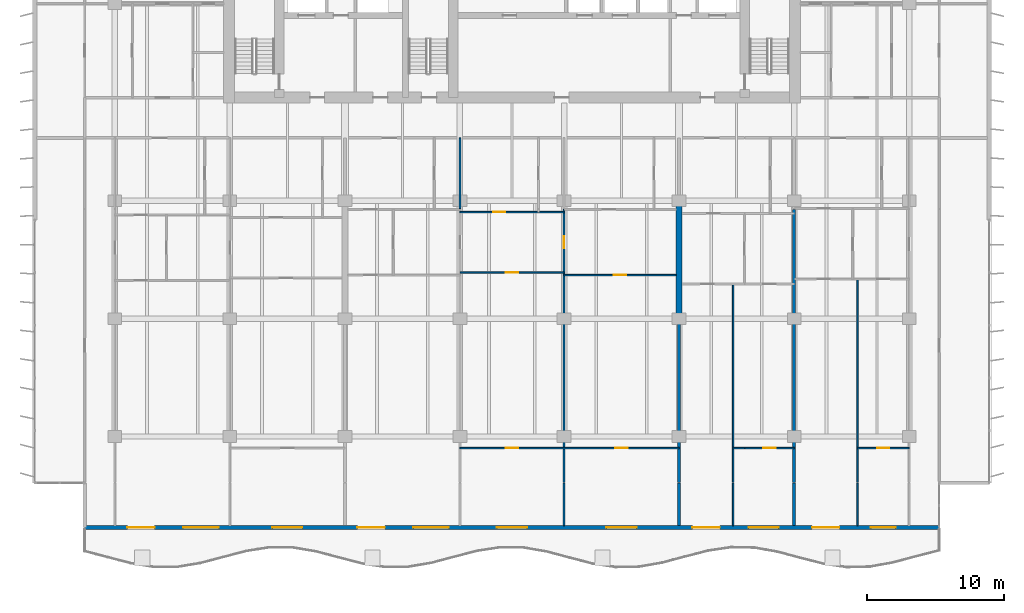
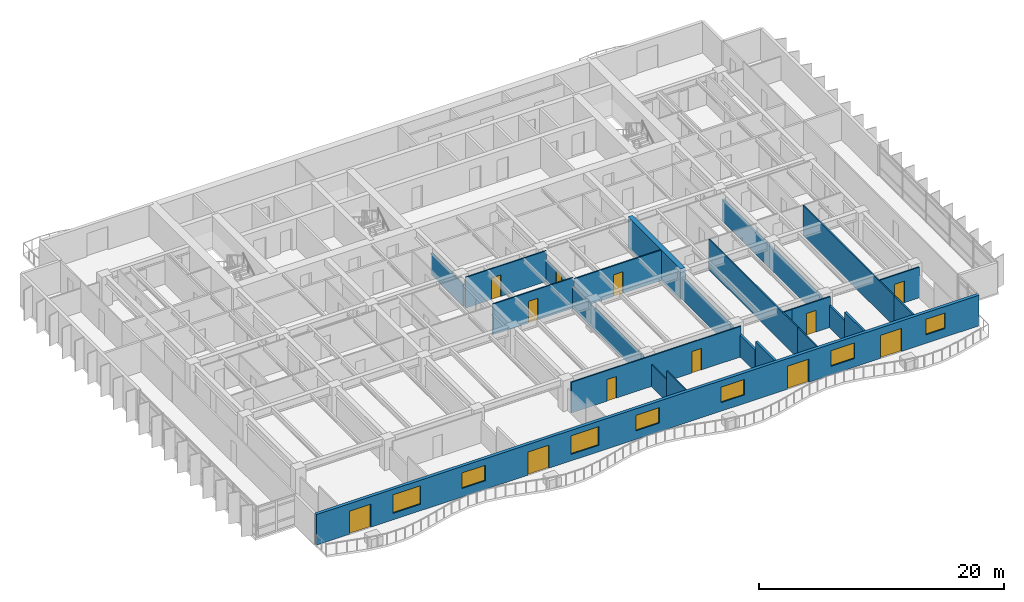
# One storey, part 7 of 15: 20 walls, 12 doors, 7 windows, 19 openings.
"""IFC4 building model written with IfcOpenShell, lengths in metres."""

from ifc_helpers import new_model, si_unit, direction, frame, frame_2d, origin, place, context, subcontext, project, spatial, rectangle, extrude, material, layer, layer_set, type_object, element, fill, save


model = new_model("IFC4")

# Units and contexts
model_context = context("Model", 3, precision=1e-05, world=origin(), true_north=direction((0.0, 1.0)))
body_context = subcontext(model_context, "Body", "Model", "MODEL_VIEW")
ifc_project = project(units=[si_unit("LENGTHUNIT", "METRE"), si_unit("AREAUNIT", "SQUARE_METRE"), si_unit("VOLUMEUNIT", "CUBIC_METRE"), si_unit("PLANEANGLEUNIT", "RADIAN"), si_unit("MASSUNIT", "GRAM", prefix="KILO")], contexts=[model_context])

# Site, building, storey
site_placement = place(None, origin())
site = spatial("IfcSite", under=ifc_project, at=site_placement, CompositionType="ELEMENT")
building_placement = place(site_placement, origin())
building = spatial("IfcBuilding", under=site, at=building_placement, Name="Caelmar Bay Residences", CompositionType="ELEMENT")
storey_placement = place(building_placement, frame((0.0, 0.0, 138.89990234375)))
storey = spatial("IfcBuildingStorey", under=building, at=storey_placement, Name="L38", CompositionType="ELEMENT", Elevation=138.89990234375)

# Wall
ifc_material_1 = material(Name="Concrete f'c 55 MPa (8,000 psi)", Category="concrete")
ifc_layer_1 = layer(ifc_material_1, 0.449951171875)
ifc_layer_set_1 = layer_set([ifc_layer_1], Name="Concrete f'c 55 MPa (8,000 psi)")
wall_type_1 = type_object("IfcWallType", Name="SW-XSLB-450", PredefinedType="SHEAR", material=ifc_layer_set_1)
wall_1_placement = place(storey_placement, frame((51.10009765625, 20.800048828125, 0.0), z_axis=(0.0, 0.0, 1.0), x_axis=(0.0, 1.0, 0.0)))
element("IfcWall", 1, at=wall_1_placement, inside=storey, type_object=wall_type_1, Name="L38 Transverse Cross-Slab Shear Wall E8", PredefinedType="SHEAR", context=body_context, shape_type="SweptSolid", body=[
    extrude(rectangle(XDim=8.599853515625, YDim=0.449951171875, at=frame_2d((4.2998046875, 0.0))), origin(), (0.0, 0.0, 1.0), 3.050048828125),
])

# Wall, openings, doors, windows
ifc_material_2 = material(Name="Precast concrete f'c 40 MPa (6,000 psi)", Category="concrete")
ifc_layer_2 = layer(ifc_material_2, 0.300048828125)
ifc_layer_set_2 = layer_set([ifc_layer_2], Name="Precast concrete f'c 40 MPa (6,000 psi)")
wall_type_2 = type_object("IfcWallType", Name="W-EXT-300", PredefinedType="STANDARD", material=ifc_layer_set_2)
wall_2_placement = place(storey_placement, frame((70.10009765625, 5.550048828125, 0.0), z_axis=(0.0, 0.0, 1.0), x_axis=(-1.0, 0.0, 0.0)))
wall_2 = element("IfcWall", 2, at=wall_2_placement, inside=storey, type_object=wall_type_2, Name="L38 South Bayfront Exterior Wall", PredefinedType="STANDARD", context=body_context, shape_type="SweptSolid", body=[
    extrude(rectangle(XDim=62.400146484375, YDim=0.300048828125, at=frame_2d((31.2001953125, 0.0))), origin(), (0.0, 0.0, 1.0), 3.050048828125),
])
opening_1_placement = place(wall_2_placement, frame((57.2900390625, 0.0, 0.0)))
opening_1 = element("IfcOpeningElement", 3, at=opening_1_placement, cuts=wall_2, Name="Opening L38-BD01", PredefinedType="OPENING", context=body_context, shape_type="SweptSolid", body=[
    extrude(rectangle(XDim=2.0, YDim=2.300048828125, at=frame_2d((1.0, 1.14990234375))), frame((0.0, 0.159912109375, 0.0), z_axis=(0.0, -1.0, 0.0), x_axis=(1.0, 0.0, 0.0)), (0.0, 0.0, 1.0), 0.320068359375),
])
opening_2_placement = place(wall_2_placement, frame((52.610107421875, 0.0, 0.64990234375)))
opening_2 = element("IfcOpeningElement", 4, at=opening_2_placement, cuts=wall_2, Name="Opening WN3", PredefinedType="OPENING", context=body_context, shape_type="SweptSolid", body=[
    extrude(rectangle(XDim=2.60009765625, YDim=1.85009765625, at=frame_2d((1.300048828125, 0.925048828125))), frame((0.0, 0.159912109375, 0.0), z_axis=(0.0, -1.0, 0.0), x_axis=(1.0, 0.0, 0.0)), (0.0, 0.0, 1.0), 0.320068359375),
])
opening_3_placement = place(wall_2_placement, frame((46.5, 0.0, 0.85009765625)))
opening_3 = element("IfcOpeningElement", 5, at=opening_3_placement, cuts=wall_2, Name="Opening WN2", PredefinedType="OPENING", context=body_context, shape_type="SweptSolid", body=[
    extrude(rectangle(XDim=2.199951171875, YDim=1.550048828125, at=frame_2d((1.10009765625, 0.77490234375))), frame((0.0, 0.159912109375, 0.0), z_axis=(0.0, -1.0, 0.0), x_axis=(1.0, 0.0, 0.0)), (0.0, 0.0, 1.0), 0.320068359375),
])
opening_4_placement = place(wall_2_placement, frame((40.489990234375, 0.0, 0.0)))
opening_4 = element("IfcOpeningElement", 6, at=opening_4_placement, cuts=wall_2, Name="Opening L38-BD02", PredefinedType="OPENING", context=body_context, shape_type="SweptSolid", body=[
    extrude(rectangle(XDim=2.0, YDim=2.300048828125, at=frame_2d((1.0, 1.14990234375))), frame((0.0, 0.159912109375, 0.0), z_axis=(0.0, -1.0, 0.0), x_axis=(1.0, 0.0, 0.0)), (0.0, 0.0, 1.0), 0.320068359375),
])
opening_5_placement = place(wall_2_placement, frame((35.81005859375, 0.0, 0.64990234375)))
opening_5 = element("IfcOpeningElement", 7, at=opening_5_placement, cuts=wall_2, Name="Opening WN3", PredefinedType="OPENING", context=body_context, shape_type="SweptSolid", body=[
    extrude(rectangle(XDim=2.60009765625, YDim=1.85009765625, at=frame_2d((1.300048828125, 0.925048828125))), frame((0.0, 0.159912109375, 0.0), z_axis=(0.0, -1.0, 0.0), x_axis=(1.0, 0.0, 0.0)), (0.0, 0.0, 1.0), 0.320068359375),
])
opening_6_placement = place(wall_2_placement, frame((30.10009765625, 0.0, 0.85009765625)))
opening_6 = element("IfcOpeningElement", 8, at=opening_6_placement, cuts=wall_2, Name="Opening WN2", PredefinedType="OPENING", context=body_context, shape_type="SweptSolid", body=[
    extrude(rectangle(XDim=2.199951171875, YDim=1.550048828125, at=frame_2d((1.10009765625, 0.77490234375))), frame((0.0, 0.159912109375, 0.0), z_axis=(0.0, -1.0, 0.0), x_axis=(1.0, 0.0, 0.0)), (0.0, 0.0, 1.0), 0.320068359375),
])
opening_7_placement = place(wall_2_placement, frame((22.10009765625, 0.0, 0.85009765625)))
opening_7 = element("IfcOpeningElement", 9, at=opening_7_placement, cuts=wall_2, Name="Opening WN2", PredefinedType="OPENING", context=body_context, shape_type="SweptSolid", body=[
    extrude(rectangle(XDim=2.199951171875, YDim=1.550048828125, at=frame_2d((1.10009765625, 0.77490234375))), frame((0.0, 0.159912109375, 0.0), z_axis=(0.0, -1.0, 0.0), x_axis=(1.0, 0.0, 0.0)), (0.0, 0.0, 1.0), 0.320068359375),
])
opening_8_placement = place(wall_2_placement, frame((16.02587890625, 0.0, 0.0)))
opening_8 = element("IfcOpeningElement", 10, at=opening_8_placement, cuts=wall_2, Name="Opening L38-BD03", PredefinedType="OPENING", context=body_context, shape_type="SweptSolid", body=[
    extrude(rectangle(XDim=2.0, YDim=2.300048828125, at=frame_2d((1.0, 1.14990234375))), frame((0.0, 0.159912109375, 0.0), z_axis=(0.0, -1.0, 0.0), x_axis=(1.0, 0.0, 0.0)), (0.0, 0.0, 1.0), 0.320068359375),
])
opening_9_placement = place(wall_2_placement, frame((11.72607421875, 0.0, 0.85009765625)))
opening_9 = element("IfcOpeningElement", 11, at=opening_9_placement, cuts=wall_2, Name="Opening WN2", PredefinedType="OPENING", context=body_context, shape_type="SweptSolid", body=[
    extrude(rectangle(XDim=2.199951171875, YDim=1.550048828125, at=frame_2d((1.10009765625, 0.77490234375))), frame((0.0, 0.159912109375, 0.0), z_axis=(0.0, -1.0, 0.0), x_axis=(1.0, 0.0, 0.0)), (0.0, 0.0, 1.0), 0.320068359375),
])
opening_10_placement = place(wall_2_placement, frame((7.2900390625, 0.0, 0.0)))
opening_10 = element("IfcOpeningElement", 12, at=opening_10_placement, cuts=wall_2, Name="Opening L38-BD04", PredefinedType="OPENING", context=body_context, shape_type="SweptSolid", body=[
    extrude(rectangle(XDim=2.0, YDim=2.300048828125, at=frame_2d((1.0, 1.14990234375))), frame((0.0, 0.159912109375, 0.0), z_axis=(0.0, -1.0, 0.0), x_axis=(1.0, 0.0, 0.0)), (0.0, 0.0, 1.0), 0.320068359375),
])
opening_11_placement = place(wall_2_placement, frame((3.18994140625, 0.0, 0.85009765625)))
opening_11 = element("IfcOpeningElement", 13, at=opening_11_placement, cuts=wall_2, Name="Opening WN1", PredefinedType="OPENING", context=body_context, shape_type="SweptSolid", body=[
    extrude(rectangle(XDim=1.800048828125, YDim=1.550048828125, at=frame_2d((0.89990234375, 0.77490234375))), frame((0.0, 0.159912109375, 0.0), z_axis=(0.0, -1.0, 0.0), x_axis=(1.0, 0.0, 0.0)), (0.0, 0.0, 1.0), 0.320068359375),
])
ifc_material_3 = material(Name="Anodised bronze thermally broken sliding glass door", Category="glass")
ifc_layer_3 = layer(ifc_material_3, 0.050048828125)
ifc_layer_set_3 = layer_set([ifc_layer_3], Name="Anodised bronze thermally broken sliding glass door")
door_type_1 = type_object("IfcDoorType", Name="D-BAL-2000", OperationType="DOUBLE_DOOR_SLIDING", PredefinedType="DOOR", material=ifc_layer_set_3)
door_1_placement = place(opening_1_placement, origin())
door_1 = element("IfcDoor", 14, at=door_1_placement, inside=storey, type_object=door_type_1, Name="L38 Residence 01 Penthouse Living Salon Balcony Door", OperationType="DOUBLE_DOOR_SLIDING", OverallHeight=2.300048828125, OverallWidth=2.0, PredefinedType="DOOR", context=body_context, shape_type="SweptSolid", body=[
    extrude(rectangle(XDim=2.0, YDim=2.300048828125, at=frame_2d((1.0, 1.14990234375))), frame((0.0, 0.02490234375, 0.0), z_axis=(0.0, -1.0, 0.0), x_axis=(1.0, 0.0, 0.0)), (0.0, 0.0, 1.0), 0.050048828125),
])
fill(opening_1, door_1)
door_2_placement = place(opening_4_placement, origin())
door_2 = element("IfcDoor", 15, at=door_2_placement, inside=storey, type_object=door_type_1, Name="L38 Residence 02 Penthouse Living Salon Balcony Door", OperationType="DOUBLE_DOOR_SLIDING", OverallHeight=2.300048828125, OverallWidth=2.0, PredefinedType="DOOR", context=body_context, shape_type="SweptSolid", body=[
    extrude(rectangle(XDim=2.0, YDim=2.300048828125, at=frame_2d((1.0, 1.14990234375))), frame((0.0, 0.02490234375, 0.0), z_axis=(0.0, -1.0, 0.0), x_axis=(1.0, 0.0, 0.0)), (0.0, 0.0, 1.0), 0.050048828125),
])
fill(opening_4, door_2)
door_3_placement = place(opening_8_placement, origin())
door_3 = element("IfcDoor", 16, at=door_3_placement, inside=storey, type_object=door_type_1, Name="L38 Residence 03 Living Room Balcony Door", OperationType="DOUBLE_DOOR_SLIDING", OverallHeight=2.300048828125, OverallWidth=2.0, PredefinedType="DOOR", context=body_context, shape_type="SweptSolid", body=[
    extrude(rectangle(XDim=2.0, YDim=2.300048828125, at=frame_2d((1.0, 1.14990234375))), frame((0.0, 0.02490234375, 0.0), z_axis=(0.0, -1.0, 0.0), x_axis=(1.0, 0.0, 0.0)), (0.0, 0.0, 1.0), 0.050048828125),
])
fill(opening_8, door_3)
door_4_placement = place(opening_10_placement, origin())
door_4 = element("IfcDoor", 17, at=door_4_placement, inside=storey, type_object=door_type_1, Name="L38 Residence 04 Penthouse Living Salon Balcony Door", OperationType="DOUBLE_DOOR_SLIDING", OverallHeight=2.300048828125, OverallWidth=2.0, PredefinedType="DOOR", context=body_context, shape_type="SweptSolid", body=[
    extrude(rectangle(XDim=2.0, YDim=2.300048828125, at=frame_2d((1.0, 1.14990234375))), frame((0.0, 0.02490234375, 0.0), z_axis=(0.0, -1.0, 0.0), x_axis=(1.0, 0.0, 0.0)), (0.0, 0.0, 1.0), 0.050048828125),
])
fill(opening_10, door_4)
ifc_material_4 = material(Name="Bronze aluminium frame with laminated low-E glass", Category="aluminium")
ifc_layer_4 = layer(ifc_material_4, 0.06005859375)
ifc_layer_set_4 = layer_set([ifc_layer_4], Name="Bronze aluminium frame with laminated low-E glass")
window_type_1 = type_object("IfcWindowType", Name="WIN-BR-1800", PartitioningType="SINGLE_PANEL", PredefinedType="WINDOW", material=ifc_layer_set_4)
window_1_placement = place(opening_11_placement, origin())
window_1 = element("IfcWindow", 18, at=window_1_placement, inside=storey, type_object=window_type_1, Name="L38 Residence 04 Primary Bedroom Window", OverallHeight=1.550048828125, OverallWidth=1.800048828125, PartitioningType="SINGLE_PANEL", PredefinedType="WINDOW", context=body_context, shape_type="SweptSolid", body=[
    extrude(rectangle(XDim=1.800048828125, YDim=1.550048828125, at=frame_2d((0.89990234375, 0.77490234375))), frame((0.0, 0.030029296875, 0.0), z_axis=(0.0, -1.0, 0.0), x_axis=(1.0, 0.0, 0.0)), (0.0, 0.0, 1.0), 0.06005859375),
])
fill(opening_11, window_1)
ifc_layer_5 = layer(ifc_material_4, 0.06005859375)
ifc_layer_set_5 = layer_set([ifc_layer_5], Name="Bronze aluminium frame with laminated low-E glass")
window_type_2 = type_object("IfcWindowType", Name="WIN-BR-2200", PartitioningType="SINGLE_PANEL", PredefinedType="WINDOW", material=ifc_layer_set_5)
window_2_placement = place(opening_3_placement, origin())
window_2 = element("IfcWindow", 19, at=window_2_placement, inside=storey, type_object=window_type_2, Name="L38 Residence 01 Primary Bedroom 1 Window", OverallHeight=1.550048828125, OverallWidth=2.199951171875, PartitioningType="SINGLE_PANEL", PredefinedType="WINDOW", context=body_context, shape_type="SweptSolid", body=[
    extrude(rectangle(XDim=2.199951171875, YDim=1.550048828125, at=frame_2d((1.10009765625, 0.77490234375))), frame((0.0, 0.030029296875, 0.0), z_axis=(0.0, -1.0, 0.0), x_axis=(1.0, 0.0, 0.0)), (0.0, 0.0, 1.0), 0.06005859375),
])
fill(opening_3, window_2)
window_3_placement = place(opening_6_placement, origin())
window_3 = element("IfcWindow", 20, at=window_3_placement, inside=storey, type_object=window_type_2, Name="L38 Residence 02 Primary Bedroom 1 Window", OverallHeight=1.550048828125, OverallWidth=2.199951171875, PartitioningType="SINGLE_PANEL", PredefinedType="WINDOW", context=body_context, shape_type="SweptSolid", body=[
    extrude(rectangle(XDim=2.199951171875, YDim=1.550048828125, at=frame_2d((1.10009765625, 0.77490234375))), frame((0.0, 0.030029296875, 0.0), z_axis=(0.0, -1.0, 0.0), x_axis=(1.0, 0.0, 0.0)), (0.0, 0.0, 1.0), 0.06005859375),
])
fill(opening_6, window_3)
window_4_placement = place(opening_7_placement, origin())
window_4 = element("IfcWindow", 21, at=window_4_placement, inside=storey, type_object=window_type_2, Name="L38 Residence 02 Primary Bedroom 2 Window", OverallHeight=1.550048828125, OverallWidth=2.199951171875, PartitioningType="SINGLE_PANEL", PredefinedType="WINDOW", context=body_context, shape_type="SweptSolid", body=[
    extrude(rectangle(XDim=2.199951171875, YDim=1.550048828125, at=frame_2d((1.10009765625, 0.77490234375))), frame((0.0, 0.030029296875, 0.0), z_axis=(0.0, -1.0, 0.0), x_axis=(1.0, 0.0, 0.0)), (0.0, 0.0, 1.0), 0.06005859375),
])
fill(opening_7, window_4)
window_5_placement = place(opening_9_placement, origin())
window_5 = element("IfcWindow", 22, at=window_5_placement, inside=storey, type_object=window_type_2, Name="L38 Residence 03 Primary Bedroom Window", OverallHeight=1.550048828125, OverallWidth=2.199951171875, PartitioningType="SINGLE_PANEL", PredefinedType="WINDOW", context=body_context, shape_type="SweptSolid", body=[
    extrude(rectangle(XDim=2.199951171875, YDim=1.550048828125, at=frame_2d((1.10009765625, 0.77490234375))), frame((0.0, 0.030029296875, 0.0), z_axis=(0.0, -1.0, 0.0), x_axis=(1.0, 0.0, 0.0)), (0.0, 0.0, 1.0), 0.06005859375),
])
fill(opening_9, window_5)
ifc_layer_6 = layer(ifc_material_4, 0.06005859375)
ifc_layer_set_6 = layer_set([ifc_layer_6], Name="Bronze aluminium frame with laminated low-E glass")
window_type_3 = type_object("IfcWindowType", Name="WIN-LIV-2600", PartitioningType="SINGLE_PANEL", PredefinedType="WINDOW", material=ifc_layer_set_6)
window_6_placement = place(opening_2_placement, origin())
window_6 = element("IfcWindow", 23, at=window_6_placement, inside=storey, type_object=window_type_3, Name="L38 Residence 01 Penthouse Living Salon Panoramic Window", OverallHeight=1.85009765625, OverallWidth=2.60009765625, PartitioningType="SINGLE_PANEL", PredefinedType="WINDOW", context=body_context, shape_type="SweptSolid", body=[
    extrude(rectangle(XDim=2.60009765625, YDim=1.85009765625, at=frame_2d((1.300048828125, 0.925048828125))), frame((0.0, 0.030029296875, 0.0), z_axis=(0.0, -1.0, 0.0), x_axis=(1.0, 0.0, 0.0)), (0.0, 0.0, 1.0), 0.06005859375),
])
fill(opening_2, window_6)
window_7_placement = place(opening_5_placement, origin())
window_7 = element("IfcWindow", 24, at=window_7_placement, inside=storey, type_object=window_type_3, Name="L38 Residence 02 Penthouse Living Salon Panoramic Window", OverallHeight=1.85009765625, OverallWidth=2.60009765625, PartitioningType="SINGLE_PANEL", PredefinedType="WINDOW", context=body_context, shape_type="SweptSolid", body=[
    extrude(rectangle(XDim=2.60009765625, YDim=1.85009765625, at=frame_2d((1.300048828125, 0.925048828125))), frame((0.0, 0.030029296875, 0.0), z_axis=(0.0, -1.0, 0.0), x_axis=(1.0, 0.0, 0.0)), (0.0, 0.0, 1.0), 0.06005859375),
])
fill(opening_5, window_7)

# Walls
ifc_material_5 = material(Name="Acoustic metal-stud gypsum partition 120 mm")
ifc_layer_7 = layer(ifc_material_5, 0.1201171875)
ifc_layer_set_7 = layer_set([ifc_layer_7], Name="Acoustic metal-stud gypsum partition 120 mm")
wall_type_3 = type_object("IfcWallType", Name="W-PRT-120", PredefinedType="PARTITIONING", material=ifc_layer_set_7)
wall_3_placement = place(storey_placement, frame((35.10009765625, 28.840087890625, 0.0), z_axis=(0.0, 0.0, 1.0), x_axis=(0.0, 1.0, 0.0)))
element("IfcWall", 25, at=wall_3_placement, inside=storey, type_object=wall_type_3, Name="L38 Partition Wall V031", PredefinedType="PARTITIONING", context=body_context, shape_type="SweptSolid", body=[
    extrude(rectangle(XDim=5.159912109375, YDim=0.1201171875, at=frame_2d((2.580078125, 0.0))), origin(), (0.0, 0.0, 1.0), 2.174072265625),
])
wall_4_placement = place(storey_placement, frame((42.699951171875, 5.695068359375, 0.0), z_axis=(0.0, 0.0, 1.0), x_axis=(0.0, 1.0, 0.0)))
element("IfcWall", 26, at=wall_4_placement, inside=storey, type_object=wall_type_3, Name="L38 Partition Wall V035", PredefinedType="PARTITIONING", context=body_context, shape_type="SweptSolid", body=[
    extrude(rectangle(XDim=3.10498046875, YDim=0.1201171875, at=frame_2d((1.552490234375, 0.0))), origin(), (0.0, 0.0, 1.0), 3.050048828125),
])

# Wall, opening, door
wall_5_placement = place(storey_placement, frame((42.699951171875, 8.840087890625, 0.0), z_axis=(0.0, 0.0, 1.0), x_axis=(0.0, 1.0, 0.0)))
wall_5 = element("IfcWall", 27, at=wall_5_placement, inside=storey, type_object=wall_type_3, Name="L38 Partition Wall V036", PredefinedType="PARTITIONING", context=body_context, shape_type="SweptSolid", body=[
    extrude(rectangle(XDim=19.93994140625, YDim=0.1201171875, at=frame_2d((9.969970703125, 0.0))), origin(), (0.0, 0.0, 1.0), 2.174072265625),
])
opening_12_placement = place(wall_5_placement, frame((17.090087890625, 0.0, 0.0)))
opening_12 = element("IfcOpeningElement", 28, at=opening_12_placement, cuts=wall_5, Name="Opening D-L38-142", PredefinedType="OPENING", context=body_context, shape_type="SweptSolid", body=[
    extrude(rectangle(XDim=0.89990234375, YDim=2.1240234375, at=frame_2d((0.449951171875, 1.06201171875))), frame((0.0, 0.070068359375, 0.0), z_axis=(0.0, -1.0, 0.0), x_axis=(1.0, 0.0, 0.0)), (0.0, 0.0, 1.0), 0.14013671875),
])
ifc_material_6 = material(Name="Solid walnut timber interior door leaf and frame", Category="wood")
ifc_layer_8 = layer(ifc_material_6, 0.050048828125)
ifc_layer_set_8 = layer_set([ifc_layer_8], Name="Solid walnut timber interior door leaf and frame")
door_type_2 = type_object("IfcDoorType", Name="D-ROOM-900", OperationType="NOTDEFINED", PredefinedType="DOOR", material=ifc_layer_set_8)
door_5_placement = place(opening_12_placement, origin())
door_5 = element("IfcDoor", 29, at=door_5_placement, inside=storey, type_object=door_type_2, Name="L38 Residence 02 Reception Lounge 2 Door", OperationType="SINGLE_SWING_LEFT", OverallHeight=2.1240234375, OverallWidth=0.89990234375, PredefinedType="DOOR", context=body_context, shape_type="SweptSolid", body=[
    extrude(rectangle(XDim=0.89990234375, YDim=2.1240234375, at=frame_2d((0.449951171875, 1.06201171875))), frame((0.0, 0.02490234375, 0.0), z_axis=(0.0, -1.0, 0.0), x_axis=(1.0, 0.0, 0.0)), (0.0, 0.0, 1.0), 0.050048828125),
])
fill(opening_12, door_5)

# Walls
wall_6_placement = place(storey_placement, frame((55.048095703125, 5.695068359375, 0.0), z_axis=(0.0, 0.0, 1.0), x_axis=(0.0, 1.0, 0.0)))
element("IfcWall", 30, at=wall_6_placement, inside=storey, type_object=wall_type_3, Name="L38 Partition Wall V050", PredefinedType="PARTITIONING", context=body_context, shape_type="SweptSolid", body=[
    extrude(rectangle(XDim=3.10498046875, YDim=0.1201171875, at=frame_2d((1.552490234375, 0.0))), origin(), (0.0, 0.0, 1.0), 3.050048828125),
])
wall_7_placement = place(storey_placement, frame((55.048095703125, 8.840087890625, 0.0), z_axis=(0.0, 0.0, 1.0), x_axis=(0.0, 1.0, 0.0)))
element("IfcWall", 31, at=wall_7_placement, inside=storey, type_object=wall_type_3, Name="L38 Partition Wall V051", PredefinedType="PARTITIONING", context=body_context, shape_type="SweptSolid", body=[
    extrude(rectangle(XDim=14.489990234375, YDim=0.1201171875, at=frame_2d((7.2451171875, 0.0))), origin(), (0.0, 0.0, 1.0), 3.050048828125),
])
wall_8_placement = place(storey_placement, frame((64.1201171875, 5.695068359375, 0.0), z_axis=(0.0, 0.0, 1.0), x_axis=(0.0, 1.0, 0.0)))
element("IfcWall", 32, at=wall_8_placement, inside=storey, type_object=wall_type_3, Name="L38 Partition Wall V061", PredefinedType="PARTITIONING", context=body_context, shape_type="SweptSolid", body=[
    extrude(rectangle(XDim=3.10498046875, YDim=0.1201171875, at=frame_2d((1.552490234375, 0.0))), origin(), (0.0, 0.0, 1.0), 3.050048828125),
])
wall_9_placement = place(storey_placement, frame((64.1201171875, 8.840087890625, 0.0), z_axis=(0.0, 0.0, 1.0), x_axis=(0.0, 1.0, 0.0)))
element("IfcWall", 33, at=wall_9_placement, inside=storey, type_object=wall_type_3, Name="L38 Partition Wall V062", PredefinedType="PARTITIONING", context=body_context, shape_type="SweptSolid", body=[
    extrude(rectangle(XDim=14.849853515625, YDim=0.1201171875, at=frame_2d((7.4248046875, 0.0))), origin(), (0.0, 0.0, 1.0), 3.050048828125),
])

# Wall, openings, doors
wall_10_placement = place(storey_placement, frame((35.10009765625, 11.35009765625, 0.0), z_axis=(0.0, 0.0, 1.0), x_axis=(1.0, 0.0, 0.0)))
wall_10 = element("IfcWall", 34, at=wall_10_placement, inside=storey, type_object=wall_type_3, Name="L38 Partition Wall H074", PredefinedType="PARTITIONING", context=body_context, shape_type="SweptSolid", body=[
    extrude(rectangle(XDim=16.0, YDim=0.1201171875, at=frame_2d((8.0, 0.0))), origin(), (0.0, 0.0, 1.0), 3.050048828125),
])
opening_13_placement = place(wall_10_placement, frame((3.35009765625, 0.0, 0.0)))
opening_13 = element("IfcOpeningElement", 35, at=opening_13_placement, cuts=wall_10, Name="Opening D-L38-141", PredefinedType="OPENING", context=body_context, shape_type="SweptSolid", body=[
    extrude(rectangle(XDim=0.89990234375, YDim=2.14990234375, at=frame_2d((0.449951171875, 1.074951171875))), frame((0.0, 0.070068359375, 0.0), z_axis=(0.0, -1.0, 0.0), x_axis=(1.0, 0.0, 0.0)), (0.0, 0.0, 1.0), 0.14013671875),
])
opening_14_placement = place(wall_10_placement, frame((11.35009765625, 0.0, 0.0)))
opening_14 = element("IfcOpeningElement", 36, at=opening_14_placement, cuts=wall_10, Name="Opening D-L38-146", PredefinedType="OPENING", context=body_context, shape_type="SweptSolid", body=[
    extrude(rectangle(XDim=0.89990234375, YDim=2.14990234375, at=frame_2d((0.449951171875, 1.074951171875))), frame((0.0, 0.070068359375, 0.0), z_axis=(0.0, -1.0, 0.0), x_axis=(1.0, 0.0, 0.0)), (0.0, 0.0, 1.0), 0.14013671875),
])
door_6_placement = place(opening_13_placement, origin())
door_6 = element("IfcDoor", 37, at=door_6_placement, inside=storey, type_object=door_type_2, Name="L38 Residence 02 Primary Bedroom 1 Door", OperationType="SINGLE_SWING_RIGHT", OverallHeight=2.14990234375, OverallWidth=0.89990234375, PredefinedType="DOOR", context=body_context, shape_type="SweptSolid", body=[
    extrude(rectangle(XDim=0.89990234375, YDim=2.14990234375, at=frame_2d((0.449951171875, 1.074951171875))), frame((0.0, 0.02490234375, 0.0), z_axis=(0.0, -1.0, 0.0), x_axis=(1.0, 0.0, 0.0)), (0.0, 0.0, 1.0), 0.050048828125),
])
fill(opening_13, door_6)
door_7_placement = place(opening_14_placement, origin())
door_7 = element("IfcDoor", 38, at=door_7_placement, inside=storey, type_object=door_type_2, Name="L38 Residence 02 Primary Bedroom 2 Door", OperationType="SINGLE_SWING_LEFT", OverallHeight=2.14990234375, OverallWidth=0.89990234375, PredefinedType="DOOR", context=body_context, shape_type="SweptSolid", body=[
    extrude(rectangle(XDim=0.89990234375, YDim=2.14990234375, at=frame_2d((0.449951171875, 1.074951171875))), frame((0.0, 0.02490234375, 0.0), z_axis=(0.0, -1.0, 0.0), x_axis=(1.0, 0.0, 0.0)), (0.0, 0.0, 1.0), 0.050048828125),
])
fill(opening_14, door_7)

# Wall
wall_11_placement = place(storey_placement, frame((55.048095703125, 11.35009765625, 0.0), z_axis=(0.0, 0.0, 1.0), x_axis=(1.0, 0.0, 0.0)))
element("IfcWall", 39, at=wall_11_placement, inside=storey, type_object=wall_type_3, Name="L38 Partition Wall H075", PredefinedType="PARTITIONING", context=body_context, shape_type="SweptSolid", body=[
    extrude(rectangle(XDim=0.837890625, YDim=0.1201171875, at=frame_2d((0.4189453125, 0.0))), origin(), (0.0, 0.0, 1.0), 3.050048828125),
])

# Wall, opening, door
wall_12_placement = place(storey_placement, frame((55.89990234375, 11.35009765625, 0.0), z_axis=(0.0, 0.0, 1.0), x_axis=(1.0, 0.0, 0.0)))
wall_12 = element("IfcWall", 40, at=wall_12_placement, inside=storey, type_object=wall_type_3, Name="L38 Partition Wall H076", PredefinedType="PARTITIONING", context=body_context, shape_type="SweptSolid", body=[
    extrude(rectangle(XDim=3.60009765625, YDim=0.1201171875, at=frame_2d((1.800048828125, 0.0))), origin(), (0.0, 0.0, 1.0), 3.050048828125),
])
opening_15_placement = place(wall_12_placement, frame((1.35009765625, 0.0, 0.0)))
opening_15 = element("IfcOpeningElement", 41, at=opening_15_placement, cuts=wall_12, Name="Opening D-L38-153", PredefinedType="OPENING", context=body_context, shape_type="SweptSolid", body=[
    extrude(rectangle(XDim=0.89990234375, YDim=2.14990234375, at=frame_2d((0.449951171875, 1.074951171875))), frame((0.0, 0.070068359375, 0.0), z_axis=(0.0, -1.0, 0.0), x_axis=(1.0, 0.0, 0.0)), (0.0, 0.0, 1.0), 0.14013671875),
])
door_8_placement = place(opening_15_placement, origin())
door_8 = element("IfcDoor", 42, at=door_8_placement, inside=storey, type_object=door_type_2, Name="L38 Residence 03 Primary Bedroom Door", OperationType="SINGLE_SWING_RIGHT", OverallHeight=2.14990234375, OverallWidth=0.89990234375, PredefinedType="DOOR", context=body_context, shape_type="SweptSolid", body=[
    extrude(rectangle(XDim=0.89990234375, YDim=2.14990234375, at=frame_2d((0.449951171875, 1.074951171875))), frame((0.0, 0.02490234375, 0.0), z_axis=(0.0, -1.0, 0.0), x_axis=(1.0, 0.0, 0.0)), (0.0, 0.0, 1.0), 0.050048828125),
])
fill(opening_15, door_8)

wall_13_placement = place(storey_placement, frame((64.1201171875, 11.35009765625, 0.0), z_axis=(0.0, 0.0, 1.0), x_axis=(1.0, 0.0, 0.0)))
wall_13 = element("IfcWall", 43, at=wall_13_placement, inside=storey, type_object=wall_type_3, Name="L38 Partition Wall H077", PredefinedType="PARTITIONING", context=body_context, shape_type="SweptSolid", body=[
    extrude(rectangle(XDim=3.77978515625, YDim=0.1201171875, at=frame_2d((1.889892578125, 0.0))), origin(), (0.0, 0.0, 1.0), 3.050048828125),
])
opening_16_placement = place(wall_13_placement, frame((1.43994140625, 0.0, 0.0)))
opening_16 = element("IfcOpeningElement", 44, at=opening_16_placement, cuts=wall_13, Name="Opening D-L38-160", PredefinedType="OPENING", context=body_context, shape_type="SweptSolid", body=[
    extrude(rectangle(XDim=0.89990234375, YDim=2.14990234375, at=frame_2d((0.449951171875, 1.074951171875))), frame((0.0, 0.070068359375, 0.0), z_axis=(0.0, -1.0, 0.0), x_axis=(1.0, 0.0, 0.0)), (0.0, 0.0, 1.0), 0.14013671875),
])
door_9_placement = place(opening_16_placement, origin())
door_9 = element("IfcDoor", 45, at=door_9_placement, inside=storey, type_object=door_type_2, Name="L38 Residence 04 Primary Bedroom Door", OperationType="SINGLE_SWING_LEFT", OverallHeight=2.14990234375, OverallWidth=0.89990234375, PredefinedType="DOOR", context=body_context, shape_type="SweptSolid", body=[
    extrude(rectangle(XDim=0.89990234375, YDim=2.14990234375, at=frame_2d((0.449951171875, 1.074951171875))), frame((0.0, 0.02490234375, 0.0), z_axis=(0.0, -1.0, 0.0), x_axis=(1.0, 0.0, 0.0)), (0.0, 0.0, 1.0), 0.050048828125),
])
fill(opening_16, door_9)

wall_14_placement = place(storey_placement, frame((42.699951171875, 23.97998046875, 0.0), z_axis=(0.0, 0.0, 1.0), x_axis=(1.0, 0.0, 0.0)))
wall_14 = element("IfcWall", 46, at=wall_14_placement, inside=storey, type_object=wall_type_3, Name="L38 Partition Wall H084", PredefinedType="PARTITIONING", context=body_context, shape_type="SweptSolid", body=[
    extrude(rectangle(XDim=8.179931640625, YDim=0.1201171875, at=frame_2d((4.08984375, 0.0))), origin(), (0.0, 0.0, 1.0), 3.050048828125),
])
opening_17_placement = place(wall_14_placement, frame((3.639892578125, 0.0, 0.0)))
opening_17 = element("IfcOpeningElement", 47, at=opening_17_placement, cuts=wall_14, Name="Opening D-L38-145", PredefinedType="OPENING", context=body_context, shape_type="SweptSolid", body=[
    extrude(rectangle(XDim=0.89990234375, YDim=2.14990234375, at=frame_2d((0.449951171875, 1.074951171875))), frame((0.0, 0.070068359375, 0.0), z_axis=(0.0, -1.0, 0.0), x_axis=(1.0, 0.0, 0.0)), (0.0, 0.0, 1.0), 0.14013671875),
])
door_10_placement = place(opening_17_placement, origin())
door_10 = element("IfcDoor", 48, at=door_10_placement, inside=storey, type_object=door_type_2, Name="L38 Residence 02 Penthouse Sitting Salon 2 Door", OperationType="SINGLE_SWING_RIGHT", OverallHeight=2.14990234375, OverallWidth=0.89990234375, PredefinedType="DOOR", context=body_context, shape_type="SweptSolid", body=[
    extrude(rectangle(XDim=0.89990234375, YDim=2.14990234375, at=frame_2d((0.449951171875, 1.074951171875))), frame((0.0, 0.02490234375, 0.0), z_axis=(0.0, -1.0, 0.0), x_axis=(1.0, 0.0, 0.0)), (0.0, 0.0, 1.0), 0.050048828125),
])
fill(opening_17, door_10)

wall_15_placement = place(storey_placement, frame((35.10498046875, 24.179931640625, 0.0), z_axis=(0.0, 0.0, 1.0), x_axis=(1.0, 0.0, 0.0)))
wall_15 = element("IfcWall", 49, at=wall_15_placement, inside=storey, type_object=wall_type_3, Name="L38 Partition Wall H085", PredefinedType="PARTITIONING", context=body_context, shape_type="SweptSolid", body=[
    extrude(rectangle(XDim=7.590087890625, YDim=0.1201171875, at=frame_2d((3.794921875, 0.0))), origin(), (0.0, 0.0, 1.0), 3.050048828125),
])
opening_18_placement = place(wall_15_placement, frame((3.344970703125, 0.0, 0.0)))
opening_18 = element("IfcOpeningElement", 50, at=opening_18_placement, cuts=wall_15, Name="Opening D-L38-140", PredefinedType="OPENING", context=body_context, shape_type="SweptSolid", body=[
    extrude(rectangle(XDim=0.89990234375, YDim=2.14990234375, at=frame_2d((0.449951171875, 1.074951171875))), frame((0.0, 0.070068359375, 0.0), z_axis=(0.0, -1.0, 0.0), x_axis=(1.0, 0.0, 0.0)), (0.0, 0.0, 1.0), 0.14013671875),
])
door_11_placement = place(opening_18_placement, origin())
door_11 = element("IfcDoor", 51, at=door_11_placement, inside=storey, type_object=door_type_2, Name="L38 Residence 02 Penthouse Sitting Salon 1 Door", OperationType="SINGLE_SWING_LEFT", OverallHeight=2.14990234375, OverallWidth=0.89990234375, PredefinedType="DOOR", context=body_context, shape_type="SweptSolid", body=[
    extrude(rectangle(XDim=0.89990234375, YDim=2.14990234375, at=frame_2d((0.449951171875, 1.074951171875))), frame((0.0, 0.02490234375, 0.0), z_axis=(0.0, -1.0, 0.0), x_axis=(1.0, 0.0, 0.0)), (0.0, 0.0, 1.0), 0.050048828125),
])
fill(opening_18, door_11)

wall_16_placement = place(storey_placement, frame((35.10009765625, 28.580078125, 0.0), z_axis=(0.0, 0.0, 1.0), x_axis=(1.0, 0.0, 0.0)))
wall_16 = element("IfcWall", 52, at=wall_16_placement, inside=storey, type_object=wall_type_3, Name="L38 Partition Wall H090", PredefinedType="PARTITIONING", context=body_context, shape_type="SweptSolid", body=[
    extrude(rectangle(XDim=7.599853515625, YDim=0.1201171875, at=frame_2d((3.7998046875, 0.0))), origin(), (0.0, 0.0, 1.0), 3.050048828125),
])
opening_19_placement = place(wall_16_placement, frame((2.41845703125, 0.0, 0.0)))
opening_19 = element("IfcOpeningElement", 53, at=opening_19_placement, cuts=wall_16, Name="Opening D-L38-138", PredefinedType="OPENING", context=body_context, shape_type="SweptSolid", body=[
    extrude(rectangle(XDim=0.89990234375, YDim=2.14990234375, at=frame_2d((0.449951171875, 1.074951171875))), frame((0.0, 0.070068359375, 0.0), z_axis=(0.0, -1.0, 0.0), x_axis=(1.0, 0.0, 0.0)), (0.0, 0.0, 1.0), 0.14013671875),
])
door_12_placement = place(opening_19_placement, origin())
door_12 = element("IfcDoor", 54, at=door_12_placement, inside=storey, type_object=door_type_2, Name="L38 Residence 02 Private Reception Room 1 Door", OperationType="SINGLE_SWING_LEFT", OverallHeight=2.14990234375, OverallWidth=0.89990234375, PredefinedType="DOOR", context=body_context, shape_type="SweptSolid", body=[
    extrude(rectangle(XDim=0.89990234375, YDim=2.14990234375, at=frame_2d((0.449951171875, 1.074951171875))), frame((0.0, 0.02490234375, 0.0), z_axis=(0.0, -1.0, 0.0), x_axis=(1.0, 0.0, 0.0)), (0.0, 0.0, 1.0), 0.050048828125),
])
fill(opening_19, door_12)

# Walls
ifc_material_7 = material(Name="Acoustic twin-stud fire-rated inter-tenancy partition 200 mm")
ifc_layer_9 = layer(ifc_material_7, 0.199951171875)
ifc_layer_set_9 = layer_set([ifc_layer_9], Name="Acoustic twin-stud fire-rated inter-tenancy partition 200 mm")
wall_type_4 = type_object("IfcWallType", Name="W-PTY-200", PredefinedType="PARTITIONING", material=ifc_layer_set_9)
wall_17_placement = place(storey_placement, frame((51.10009765625, 5.695068359375, 0.0), z_axis=(0.0, 0.0, 1.0), x_axis=(0.0, 1.0, 0.0)))
element("IfcWall", 55, at=wall_17_placement, inside=storey, type_object=wall_type_4, Name="L38 Partition Wall V046", PredefinedType="PARTITIONING", context=body_context, shape_type="SweptSolid", body=[
    extrude(rectangle(XDim=3.10498046875, YDim=0.199951171875, at=frame_2d((1.552490234375, 0.0))), origin(), (0.0, 0.0, 1.0), 3.050048828125),
])
wall_18_placement = place(storey_placement, frame((51.10009765625, 8.840087890625, 0.0), z_axis=(0.0, 0.0, 1.0), x_axis=(0.0, 1.0, 0.0)))
element("IfcWall", 56, at=wall_18_placement, inside=storey, type_object=wall_type_4, Name="L38 Partition Wall V047", PredefinedType="PARTITIONING", context=body_context, shape_type="SweptSolid", body=[
    extrude(rectangle(XDim=11.954833984375, YDim=0.199951171875, at=frame_2d((5.9775390625, 0.0))), origin(), (0.0, 0.0, 1.0), 2.174072265625),
])
wall_19_placement = place(storey_placement, frame((59.5, 5.695068359375, 0.0), z_axis=(0.0, 0.0, 1.0), x_axis=(0.0, 1.0, 0.0)))
element("IfcWall", 57, at=wall_19_placement, inside=storey, type_object=wall_type_4, Name="L38 Partition Wall V056", PredefinedType="PARTITIONING", context=body_context, shape_type="SweptSolid", body=[
    extrude(rectangle(XDim=3.10498046875, YDim=0.199951171875, at=frame_2d((1.552490234375, 0.0))), origin(), (0.0, 0.0, 1.0), 3.050048828125),
])
wall_20_placement = place(storey_placement, frame((59.5, 8.840087890625, 0.0), z_axis=(0.0, 0.0, 1.0), x_axis=(0.0, 1.0, 0.0)))
element("IfcWall", 58, at=wall_20_placement, inside=storey, type_object=wall_type_4, Name="L38 Partition Wall V057", PredefinedType="PARTITIONING", context=body_context, shape_type="SweptSolid", body=[
    extrude(rectangle(XDim=19.93994140625, YDim=0.199951171875, at=frame_2d((9.969970703125, 0.0))), origin(), (0.0, 0.0, 1.0), 2.174072265625),
])

save(model, "model.ifc")
